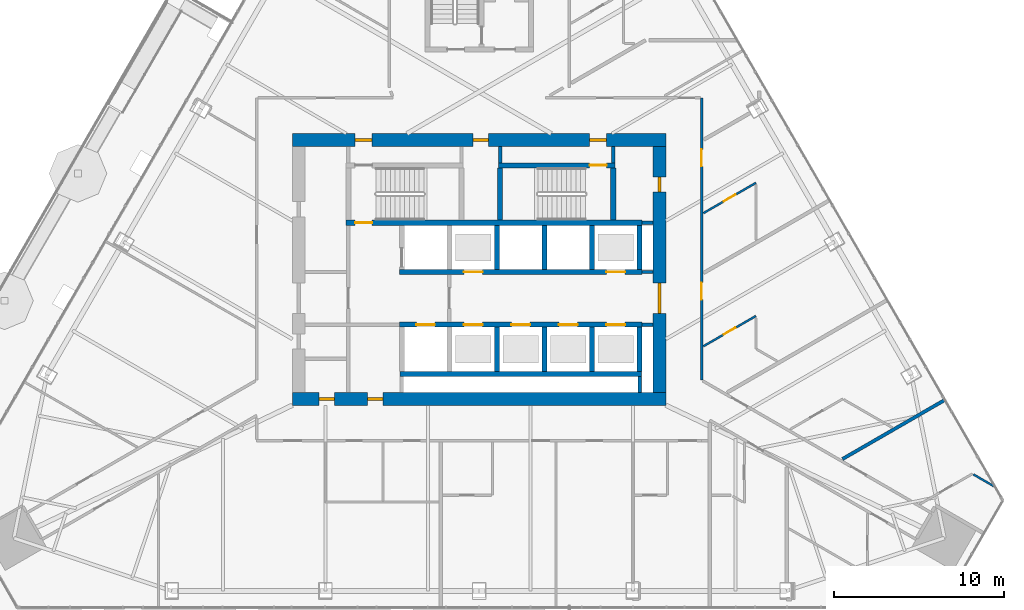
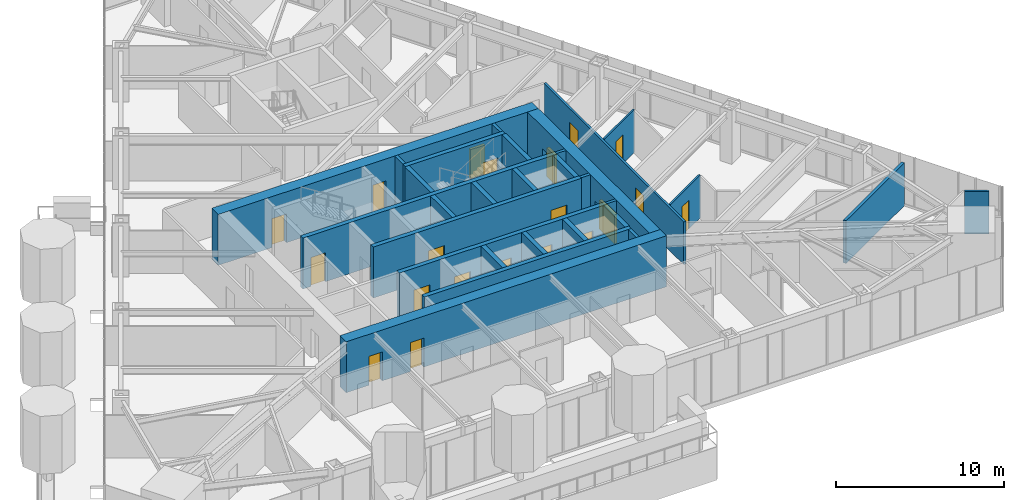
# One storey, part 27 of 32: 29 walls, 20 doors, 20 openings.
"""IFC4 building model written with IfcOpenShell, lengths in metres."""

from ifc_helpers import new_model, si_unit, direction, frame, frame_2d, origin, place, context, subcontext, project, spatial, rectangle, extrude, material, layer, layer_set, type_object, element, fill, save


model = new_model("IFC4")

# Units and contexts
model_context = context("Model", 3, precision=1e-05, world=origin(), true_north=direction((0.0, 1.0)))
body_context = subcontext(model_context, "Body", "Model", "MODEL_VIEW")
ifc_project = project(units=[si_unit("LENGTHUNIT", "METRE"), si_unit("AREAUNIT", "SQUARE_METRE"), si_unit("VOLUMEUNIT", "CUBIC_METRE"), si_unit("PLANEANGLEUNIT", "RADIAN"), si_unit("MASSUNIT", "GRAM", prefix="KILO")], contexts=[model_context])

# Site, building, storey
site_placement = place(None, origin())
site = spatial("IfcSite", under=ifc_project, at=site_placement, CompositionType="ELEMENT")
building_placement = place(site_placement, origin())
building = spatial("IfcBuilding", under=site, at=building_placement, Name="Firuza Gate Tower and Library", CompositionType="ELEMENT")
storey_placement = place(building_placement, frame((0.0, 0.0, 163.60009765625)))
storey = spatial("IfcBuildingStorey", under=building, at=storey_placement, Name="L37", CompositionType="ELEMENT", Elevation=163.60009765625)

# Walls
ifc_material_1 = material(Name="Plasterboard on steel studs", Category="steel")
ifc_layer_1 = layer(ifc_material_1, 0.199951171875)
ifc_layer_set_1 = layer_set([ifc_layer_1], Name="Core partition 200 EI 120")
wall_type_1 = type_object("IfcWallType", Name="Core partition 200 EI 120", PredefinedType="PARTITIONING", material=ifc_layer_set_1)
for number, where, z_axis, x_axis, name in (
    (1, (84.60009765625, 71.75, 0.0), (0.0, 0.0, 1.0), (1.0, 0.0, 0.0), "Core partition L37 3"),
    (2, (84.60009765625, 74.85009765625, 0.0), (0.0, 0.0, 1.0), (1.0, 0.0, 0.0), "Core partition L37 5"),
    (3, (84.60009765625, 77.75, 0.0), (0.0, 0.0, 1.0), (1.0, 0.0, 0.0), "Core partition L37 6"),
):
    element("IfcWall", number, at=place(storey_placement, frame(where, z_axis=z_axis, x_axis=x_axis)), inside=storey, type_object=wall_type_1, Name=name, PredefinedType="PARTITIONING", context=body_context, shape_type="SweptSolid", body=[
        extrude(rectangle(XDim=0.64990234375, YDim=0.199951171875, at=frame_2d((0.324951171875, 0.0))), origin(), (0.0, 0.0, 1.0), 3.699951171875),
    ])
wall_1_placement = place(storey_placement, frame((84.449951171875, 67.75, 0.0), z_axis=(0.0, 0.0, 1.0), x_axis=(0.0, 1.0, 0.0)))
element("IfcWall", 4, at=wall_1_placement, inside=storey, type_object=wall_type_1, Name="Core partition L37 15", PredefinedType="PARTITIONING", context=body_context, shape_type="SweptSolid", body=[
    extrude(rectangle(XDim=0.949951171875, YDim=0.199951171875, at=frame_2d((0.47509765625, 0.0))), origin(), (0.0, 0.0, 1.0), 3.699951171875),
])
ifc_material_2 = material(Name="Plasterboard on steel studs", Category="steel")
ifc_layer_2 = layer(ifc_material_2, 0.199951171875)
ifc_layer_set_2 = layer_set([ifc_layer_2], Name="Core partition 200 EI 60")
wall_type_2 = type_object("IfcWallType", Name="Core partition 200 EI 60", PredefinedType="PARTITIONING", material=ifc_layer_set_2)
for number, where, z_axis, x_axis, name in (
    (5, (76.239990234375, 81.280029296875, 0.0), (0.0, 0.0, 1.0), (0.0, 1.0, 0.0), "Core partition L37 13"),
    (6, (82.89990234375, 81.280029296875, 0.0), (0.0, 0.0, 1.0), (0.0, 1.0, 0.0), "Core partition L37 14"),
):
    element("IfcWall", number, at=place(storey_placement, frame(where, z_axis=z_axis, x_axis=x_axis)), inside=storey, type_object=wall_type_2, Name=name, PredefinedType="PARTITIONING", context=body_context, shape_type="SweptSolid", body=[
        extrude(rectangle(XDim=0.969970703125, YDim=0.199951171875, at=frame_2d((0.48486328125, 0.0))), origin(), (0.0, 0.0, 1.0), 3.699951171875),
    ])
ifc_material_3 = material(Name="Concrete C80/95", Category="concrete")
ifc_layer_3 = layer(ifc_material_3, 0.300048828125)
ifc_layer_set_3 = layer_set([ifc_layer_3], Name="Core wall 300 C80/95")
wall_type_3 = type_object("IfcWallType", Name="Core wall 300 C80/95", PredefinedType="SHEAR", material=ifc_layer_set_3)
wall_2_placement = place(storey_placement, frame((70.35009765625, 68.85009765625, 0.0), z_axis=(0.0, 0.0, 1.0), x_axis=(1.0, 0.0, 0.0)))
element("IfcWall", 7, at=wall_2_placement, inside=storey, type_object=wall_type_3, Name="Core wall L37 5", PredefinedType="SHEAR", context=body_context, shape_type="SweptSolid", body=[
    extrude(rectangle(XDim=14.199951171875, YDim=0.300048828125, at=frame_2d((7.10009765625, 0.0))), origin(), (0.0, 0.0, 1.0), 3.699951171875),
])

# Wall, openings, doors
wall_3_placement = place(storey_placement, frame((70.300048828125, 71.75, 0.0), z_axis=(0.0, 0.0, 1.0), x_axis=(1.0, 0.0, 0.0)))
wall_3 = element("IfcWall", 8, at=wall_3_placement, inside=storey, type_object=wall_type_3, Name="Core wall L37 6", PredefinedType="SHEAR", context=body_context, shape_type="SweptSolid", body=[
    extrude(rectangle(XDim=14.300048828125, YDim=0.300048828125, at=frame_2d((7.14990234375, 0.0))), origin(), (0.0, 0.0, 1.0), 3.699951171875),
])
opening_1_placement = place(wall_3_placement, frame((1.0, 0.0, 0.0)))
opening_1 = element("IfcOpeningElement", 9, at=opening_1_placement, cuts=wall_3, Name="Opening LD-FF1-L37", PredefinedType="OPENING", context=body_context, shape_type="SweptSolid", body=[
    extrude(rectangle(XDim=1.10009765625, YDim=2.10009765625, at=frame_2d((0.550048828125, 1.050048828125))), frame((0.0, 0.16015625, 0.0), z_axis=(0.0, -1.0, 0.0), x_axis=(1.0, 0.0, 0.0)), (0.0, 0.0, 1.0), 0.320068359375),
])
opening_2_placement = place(wall_3_placement, frame((3.800048828125, 0.0, 0.0)))
opening_2 = element("IfcOpeningElement", 10, at=opening_2_placement, cuts=wall_3, Name="Opening LD-MR1-L37", PredefinedType="OPENING", context=body_context, shape_type="SweptSolid", body=[
    extrude(rectangle(XDim=1.10009765625, YDim=2.10009765625, at=frame_2d((0.550048828125, 1.050048828125))), frame((0.0, 0.16015625, 0.0), z_axis=(0.0, -1.0, 0.0), x_axis=(1.0, 0.0, 0.0)), (0.0, 0.0, 1.0), 0.320068359375),
])
opening_3_placement = place(wall_3_placement, frame((6.60009765625, 0.0, 0.0)))
opening_3 = element("IfcOpeningElement", 11, at=opening_3_placement, cuts=wall_3, Name="Opening LD-MR2-L37", PredefinedType="OPENING", context=body_context, shape_type="SweptSolid", body=[
    extrude(rectangle(XDim=1.10009765625, YDim=2.10009765625, at=frame_2d((0.550048828125, 1.050048828125))), frame((0.0, 0.16015625, 0.0), z_axis=(0.0, -1.0, 0.0), x_axis=(1.0, 0.0, 0.0)), (0.0, 0.0, 1.0), 0.320068359375),
])
opening_4_placement = place(wall_3_placement, frame((9.39990234375, 0.0, 0.0)))
opening_4 = element("IfcOpeningElement", 12, at=opening_4_placement, cuts=wall_3, Name="Opening LD-MR3-L37", PredefinedType="OPENING", context=body_context, shape_type="SweptSolid", body=[
    extrude(rectangle(XDim=1.10009765625, YDim=2.10009765625, at=frame_2d((0.550048828125, 1.050048828125))), frame((0.0, 0.16015625, 0.0), z_axis=(0.0, -1.0, 0.0), x_axis=(1.0, 0.0, 0.0)), (0.0, 0.0, 1.0), 0.320068359375),
])
opening_5_placement = place(wall_3_placement, frame((12.199951171875, 0.0, 0.0)))
opening_5 = element("IfcOpeningElement", 13, at=opening_5_placement, cuts=wall_3, Name="Opening LD-MR5-L37", PredefinedType="OPENING", context=body_context, shape_type="SweptSolid", body=[
    extrude(rectangle(XDim=1.10009765625, YDim=2.10009765625, at=frame_2d((0.550048828125, 1.050048828125))), frame((0.0, 0.16015625, 0.0), z_axis=(0.0, -1.0, 0.0), x_axis=(1.0, 0.0, 0.0)), (0.0, 0.0, 1.0), 0.320068359375),
])
ifc_material_4 = material(Name="Stainless steel", Category="steel")
door_type_1 = type_object("IfcDoorType", Name="Lift landing door 1100x2100", OperationType="DOUBLE_DOOR_SLIDING", PredefinedType="DOOR", material=ifc_material_4)
door_1_placement = place(opening_1_placement, origin())
door_1 = element("IfcDoor", 14, at=door_1_placement, inside=storey, type_object=door_type_1, Name="Landing door FF1 L37", OperationType="DOUBLE_DOOR_SLIDING", OverallHeight=2.10009765625, OverallWidth=1.10009765625, PredefinedType="DOOR", context=body_context, shape_type="SweptSolid", body=[
    extrude(rectangle(XDim=1.10009765625, YDim=2.10009765625, at=frame_2d((0.550048828125, 1.050048828125))), frame((0.0, 0.02490234375, 0.0), z_axis=(0.0, -1.0, 0.0), x_axis=(1.0, 0.0, 0.0)), (0.0, 0.0, 1.0), 0.050048828125),
])
fill(opening_1, door_1)
door_2_placement = place(opening_2_placement, origin())
door_2 = element("IfcDoor", 15, at=door_2_placement, inside=storey, type_object=door_type_1, Name="Landing door MR1 L37", OperationType="DOUBLE_DOOR_SLIDING", OverallHeight=2.10009765625, OverallWidth=1.10009765625, PredefinedType="DOOR", context=body_context, shape_type="SweptSolid", body=[
    extrude(rectangle(XDim=1.10009765625, YDim=2.10009765625, at=frame_2d((0.550048828125, 1.050048828125))), frame((0.0, 0.02490234375, 0.0), z_axis=(0.0, -1.0, 0.0), x_axis=(1.0, 0.0, 0.0)), (0.0, 0.0, 1.0), 0.050048828125),
])
fill(opening_2, door_2)
door_3_placement = place(opening_3_placement, origin())
door_3 = element("IfcDoor", 16, at=door_3_placement, inside=storey, type_object=door_type_1, Name="Landing door MR2 L37", OperationType="DOUBLE_DOOR_SLIDING", OverallHeight=2.10009765625, OverallWidth=1.10009765625, PredefinedType="DOOR", context=body_context, shape_type="SweptSolid", body=[
    extrude(rectangle(XDim=1.10009765625, YDim=2.10009765625, at=frame_2d((0.550048828125, 1.050048828125))), frame((0.0, 0.02490234375, 0.0), z_axis=(0.0, -1.0, 0.0), x_axis=(1.0, 0.0, 0.0)), (0.0, 0.0, 1.0), 0.050048828125),
])
fill(opening_3, door_3)
door_4_placement = place(opening_4_placement, origin())
door_4 = element("IfcDoor", 17, at=door_4_placement, inside=storey, type_object=door_type_1, Name="Landing door MR3 L37", OperationType="DOUBLE_DOOR_SLIDING", OverallHeight=2.10009765625, OverallWidth=1.10009765625, PredefinedType="DOOR", context=body_context, shape_type="SweptSolid", body=[
    extrude(rectangle(XDim=1.10009765625, YDim=2.10009765625, at=frame_2d((0.550048828125, 1.050048828125))), frame((0.0, 0.02490234375, 0.0), z_axis=(0.0, -1.0, 0.0), x_axis=(1.0, 0.0, 0.0)), (0.0, 0.0, 1.0), 0.050048828125),
])
fill(opening_4, door_4)
door_5_placement = place(opening_5_placement, origin())
door_5 = element("IfcDoor", 18, at=door_5_placement, inside=storey, type_object=door_type_1, Name="Landing door MR5 L37", OperationType="DOUBLE_DOOR_SLIDING", OverallHeight=2.10009765625, OverallWidth=1.10009765625, PredefinedType="DOOR", context=body_context, shape_type="SweptSolid", body=[
    extrude(rectangle(XDim=1.10009765625, YDim=2.10009765625, at=frame_2d((0.550048828125, 1.050048828125))), frame((0.0, 0.02490234375, 0.0), z_axis=(0.0, -1.0, 0.0), x_axis=(1.0, 0.0, 0.0)), (0.0, 0.0, 1.0), 0.050048828125),
])
fill(opening_5, door_5)

wall_4_placement = place(storey_placement, frame((70.300048828125, 74.85009765625, 0.0), z_axis=(0.0, 0.0, 1.0), x_axis=(1.0, 0.0, 0.0)))
wall_4 = element("IfcWall", 19, at=wall_4_placement, inside=storey, type_object=wall_type_3, Name="Core wall L37 7", PredefinedType="SHEAR", context=body_context, shape_type="SweptSolid", body=[
    extrude(rectangle(XDim=14.300048828125, YDim=0.300048828125, at=frame_2d((7.14990234375, 0.0))), origin(), (0.0, 0.0, 1.0), 3.699951171875),
])
opening_6_placement = place(wall_4_placement, frame((3.800048828125, 0.0, 0.0)))
opening_6 = element("IfcOpeningElement", 20, at=opening_6_placement, cuts=wall_4, Name="Opening LD-MR4-L37", PredefinedType="OPENING", context=body_context, shape_type="SweptSolid", body=[
    extrude(rectangle(XDim=1.10009765625, YDim=2.10009765625, at=frame_2d((0.550048828125, 1.050048828125))), frame((0.0, 0.16015625, 0.0), z_axis=(0.0, -1.0, 0.0), x_axis=(1.0, 0.0, 0.0)), (0.0, 0.0, 1.0), 0.320068359375),
])
opening_7_placement = place(wall_4_placement, frame((12.199951171875, 0.0, 0.0)))
opening_7 = element("IfcOpeningElement", 21, at=opening_7_placement, cuts=wall_4, Name="Opening LD-MR6-L37", PredefinedType="OPENING", context=body_context, shape_type="SweptSolid", body=[
    extrude(rectangle(XDim=1.10009765625, YDim=2.10009765625, at=frame_2d((0.550048828125, 1.050048828125))), frame((0.0, 0.16015625, 0.0), z_axis=(0.0, -1.0, 0.0), x_axis=(1.0, 0.0, 0.0)), (0.0, 0.0, 1.0), 0.320068359375),
])
door_6_placement = place(opening_6_placement, origin())
door_6 = element("IfcDoor", 22, at=door_6_placement, inside=storey, type_object=door_type_1, Name="Landing door MR4 L37", OperationType="DOUBLE_DOOR_SLIDING", OverallHeight=2.10009765625, OverallWidth=1.10009765625, PredefinedType="DOOR", context=body_context, shape_type="SweptSolid", body=[
    extrude(rectangle(XDim=1.10009765625, YDim=2.10009765625, at=frame_2d((0.550048828125, 1.050048828125))), frame((0.0, 0.02490234375, 0.0), z_axis=(0.0, -1.0, 0.0), x_axis=(1.0, 0.0, 0.0)), (0.0, 0.0, 1.0), 0.050048828125),
])
fill(opening_6, door_6)
door_7_placement = place(opening_7_placement, origin())
door_7 = element("IfcDoor", 23, at=door_7_placement, inside=storey, type_object=door_type_1, Name="Landing door MR6 L37", OperationType="DOUBLE_DOOR_SLIDING", OverallHeight=2.10009765625, OverallWidth=1.10009765625, PredefinedType="DOOR", context=body_context, shape_type="SweptSolid", body=[
    extrude(rectangle(XDim=1.10009765625, YDim=2.10009765625, at=frame_2d((0.550048828125, 1.050048828125))), frame((0.0, 0.02490234375, 0.0), z_axis=(0.0, -1.0, 0.0), x_axis=(1.0, 0.0, 0.0)), (0.0, 0.0, 1.0), 0.050048828125),
])
fill(opening_7, door_7)

# Walls
for number, where, z_axis, x_axis, name in (
    (24, (76.050048828125, 69.0, 0.0), (0.0, 0.0, 1.0), (0.0, 1.0, 0.0), "Core wall L37 12"),
    (25, (76.050048828125, 75.0, 0.0), (0.0, 0.0, 1.0), (0.0, 1.0, 0.0), "Core wall L37 13"),
    (26, (78.85009765625, 69.0, 0.0), (0.0, 0.0, 1.0), (0.0, 1.0, 0.0), "Core wall L37 14"),
    (27, (78.85009765625, 75.0, 0.0), (0.0, 0.0, 1.0), (0.0, 1.0, 0.0), "Core wall L37 15"),
    (28, (81.64990234375, 69.0, 0.0), (0.0, 0.0, 1.0), (0.0, 1.0, 0.0), "Core wall L37 16"),
    (29, (81.64990234375, 75.0, 0.0), (0.0, 0.0, 1.0), (0.0, 1.0, 0.0), "Core wall L37 17"),
    (30, (84.449951171875, 69.0, 0.0), (0.0, 0.0, 1.0), (0.0, 1.0, 0.0), "Core wall L37 18"),
    (31, (84.449951171875, 75.0, 0.0), (0.0, 0.0, 1.0), (0.0, 1.0, 0.0), "Core wall L37 19"),
):
    element("IfcWall", number, at=place(storey_placement, frame(where, z_axis=z_axis, x_axis=x_axis)), inside=storey, type_object=wall_type_3, Name=name, PredefinedType="SHEAR", context=body_context, shape_type="SweptSolid", body=[
        extrude(rectangle(XDim=2.60009765625, YDim=0.300048828125, at=frame_2d((1.300048828125, 0.0))), origin(), (0.0, 0.0, 1.0), 3.699951171875),
    ])

# Wall, opening, door
wall_5_placement = place(storey_placement, frame((67.14990234375, 77.75, 0.0), z_axis=(0.0, 0.0, 1.0), x_axis=(1.0, 0.0, 0.0)))
wall_5 = element("IfcWall", 32, at=wall_5_placement, inside=storey, type_object=wall_type_3, Name="Core wall L37 20", PredefinedType="SHEAR", context=body_context, shape_type="SweptSolid", body=[
    extrude(rectangle(XDim=17.4501953125, YDim=0.300048828125, at=frame_2d((8.72509765625, 0.0))), origin(), (0.0, 0.0, 1.0), 3.699951171875),
])
opening_8_placement = place(wall_5_placement, frame((0.544921875, 0.0, 0.0)))
opening_8 = element("IfcOpeningElement", 33, at=opening_8_placement, cuts=wall_5, Name="Opening L37-K10", PredefinedType="OPENING", context=body_context, shape_type="SweptSolid", body=[
    extrude(rectangle(XDim=1.0, YDim=2.10009765625, at=frame_2d((0.5, 1.050048828125))), frame((0.0, 0.16015625, 0.0), z_axis=(0.0, -1.0, 0.0), x_axis=(1.0, 0.0, 0.0)), (0.0, 0.0, 1.0), 0.320068359375),
])
ifc_material_5 = material(Name="Steel", Category="steel")
door_type_2 = type_object("IfcDoorType", Name="Fire door 1000x2100 FD90", OperationType="NOTDEFINED", PredefinedType="DOOR", material=ifc_material_5)
door_8_placement = place(opening_8_placement, origin())
door_8 = element("IfcDoor", 34, at=door_8_placement, inside=storey, type_object=door_type_2, Name="Door L37-K10", OperationType="SINGLE_SWING_LEFT", OverallHeight=2.10009765625, OverallWidth=1.0, PredefinedType="DOOR", context=body_context, shape_type="SweptSolid", body=[
    extrude(rectangle(XDim=1.0, YDim=2.10009765625, at=frame_2d((0.5, 1.050048828125))), frame((0.0, 0.02490234375, 0.0), z_axis=(0.0, -1.0, 0.0), x_axis=(1.0, 0.0, 0.0)), (0.0, 0.0, 1.0), 0.050048828125),
])
fill(opening_8, door_8)

wall_6_placement = place(storey_placement, frame((76.139892578125, 81.1298828125, 0.0), z_axis=(0.0, 0.0, 1.0), x_axis=(1.0, 0.0, 0.0)))
wall_6 = element("IfcWall", 35, at=wall_6_placement, inside=storey, type_object=wall_type_3, Name="Core wall L37 22", PredefinedType="SHEAR", context=body_context, shape_type="SweptSolid", body=[
    extrude(rectangle(XDim=6.860107421875, YDim=0.300048828125, at=frame_2d((3.43017578125, 0.0))), origin(), (0.0, 0.0, 1.0), 3.699951171875),
])
opening_9_placement = place(wall_6_placement, frame((5.364990234375, 0.0, 0.0)))
opening_9 = element("IfcOpeningElement", 36, at=opening_9_placement, cuts=wall_6, Name="Opening L37-K13", PredefinedType="OPENING", context=body_context, shape_type="SweptSolid", body=[
    extrude(rectangle(XDim=1.0, YDim=2.10009765625, at=frame_2d((0.5, 1.050048828125))), frame((0.0, 0.16015625, 0.0), z_axis=(0.0, -1.0, 0.0), x_axis=(1.0, 0.0, 0.0)), (0.0, 0.0, 1.0), 0.320068359375),
])
door_9_placement = place(opening_9_placement, origin())
door_9 = element("IfcDoor", 37, at=door_9_placement, inside=storey, type_object=door_type_2, Name="Door L37-K13", OperationType="SINGLE_SWING_RIGHT", OverallHeight=2.10009765625, OverallWidth=1.0, PredefinedType="DOOR", context=body_context, shape_type="SweptSolid", body=[
    extrude(rectangle(XDim=1.0, YDim=2.10009765625, at=frame_2d((0.5, 1.050048828125))), frame((0.0, 0.02490234375, 0.0), z_axis=(0.0, -1.0, 0.0), x_axis=(1.0, 0.0, 0.0)), (0.0, 0.0, 1.0), 0.050048828125),
])
fill(opening_9, door_9)

# Walls
for number, where, z_axis, x_axis, name in (
    (38, (76.239990234375, 77.89990234375, 0.0), (0.0, 0.0, 1.0), (0.0, 1.0, 0.0), "Core wall L37 25"),
    (39, (82.89990234375, 77.89990234375, 0.0), (0.0, 0.0, 1.0), (0.0, 1.0, 0.0), "Core wall L37 26"),
):
    element("IfcWall", number, at=place(storey_placement, frame(where, z_axis=z_axis, x_axis=x_axis)), inside=storey, type_object=wall_type_3, Name=name, PredefinedType="SHEAR", context=body_context, shape_type="SweptSolid", body=[
        extrude(rectangle(XDim=3.080078125, YDim=0.300048828125, at=frame_2d((1.5400390625, 0.0))), origin(), (0.0, 0.0, 1.0), 3.699951171875),
    ])

# Wall, openings, doors
ifc_material_6 = material(Name="Concrete C80/95", Category="concrete")
ifc_layer_4 = layer(ifc_material_6, 0.75)
ifc_layer_set_4 = layer_set([ifc_layer_4], Name="Core wall 750 C80/95")
wall_type_4 = type_object("IfcWallType", Name="Core wall 750 C80/95", PredefinedType="SHEAR", material=ifc_layer_set_4)
wall_7_placement = place(storey_placement, frame((64.0, 67.375, 0.0), z_axis=(0.0, 0.0, 1.0), x_axis=(1.0, 0.0, 0.0)))
wall_7 = element("IfcWall", 40, at=wall_7_placement, inside=storey, type_object=wall_type_4, Name="Core wall L37 1", PredefinedType="SHEAR", context=body_context, shape_type="SweptSolid", body=[
    extrude(rectangle(XDim=22.0, YDim=0.75, at=frame_2d((11.0, 0.0))), origin(), (0.0, 0.0, 1.0), 3.699951171875),
])
opening_10_placement = place(wall_7_placement, frame((1.574951171875, 0.0, 0.0)))
opening_10 = element("IfcOpeningElement", 41, at=opening_10_placement, cuts=wall_7, Name="Opening L37-K22", PredefinedType="OPENING", context=body_context, shape_type="SweptSolid", body=[
    extrude(rectangle(XDim=0.89990234375, YDim=2.10009765625, at=frame_2d((0.449951171875, 1.050048828125))), frame((0.0, 0.385009765625, 0.0), z_axis=(0.0, -1.0, 0.0), x_axis=(1.0, 0.0, 0.0)), (0.0, 0.0, 1.0), 0.77001953125),
])
opening_11_placement = place(wall_7_placement, frame((4.425048828125, 0.0, 0.0)))
opening_11 = element("IfcOpeningElement", 42, at=opening_11_placement, cuts=wall_7, Name="Opening L37-K24", PredefinedType="OPENING", context=body_context, shape_type="SweptSolid", body=[
    extrude(rectangle(XDim=0.89990234375, YDim=2.10009765625, at=frame_2d((0.449951171875, 1.050048828125))), frame((0.0, 0.385009765625, 0.0), z_axis=(0.0, -1.0, 0.0), x_axis=(1.0, 0.0, 0.0)), (0.0, 0.0, 1.0), 0.77001953125),
])
ifc_material_7 = material(Name="Steel", Category="steel")
door_type_3 = type_object("IfcDoorType", Name="Fire door 900x2100 FD30S", OperationType="NOTDEFINED", PredefinedType="DOOR", material=ifc_material_7)
door_10_placement = place(opening_10_placement, origin())
door_10 = element("IfcDoor", 43, at=door_10_placement, inside=storey, type_object=door_type_3, Name="Door L37-K22", OperationType="SINGLE_SWING_LEFT", OverallHeight=2.10009765625, OverallWidth=0.89990234375, PredefinedType="DOOR", context=body_context, shape_type="SweptSolid", body=[
    extrude(rectangle(XDim=0.89990234375, YDim=2.10009765625, at=frame_2d((0.449951171875, 1.050048828125))), frame((0.0, 0.094970703125, 0.0), z_axis=(0.0, -1.0, 0.0), x_axis=(1.0, 0.0, 0.0)), (0.0, 0.0, 1.0), 0.18994140625),
])
fill(opening_10, door_10)
door_11_placement = place(opening_11_placement, origin())
door_11 = element("IfcDoor", 44, at=door_11_placement, inside=storey, type_object=door_type_3, Name="Door L37-K24", OperationType="SINGLE_SWING_LEFT", OverallHeight=2.10009765625, OverallWidth=0.89990234375, PredefinedType="DOOR", context=body_context, shape_type="SweptSolid", body=[
    extrude(rectangle(XDim=0.89990234375, YDim=2.10009765625, at=frame_2d((0.449951171875, 1.050048828125))), frame((0.0, 0.094970703125, 0.0), z_axis=(0.0, -1.0, 0.0), x_axis=(1.0, 0.0, 0.0)), (0.0, 0.0, 1.0), 0.18994140625),
])
fill(opening_11, door_11)

wall_8_placement = place(storey_placement, frame((64.0, 82.625, 0.0), z_axis=(0.0, 0.0, 1.0), x_axis=(1.0, 0.0, 0.0)))
wall_8 = element("IfcWall", 45, at=wall_8_placement, inside=storey, type_object=wall_type_4, Name="Core wall L37 2", PredefinedType="SHEAR", context=body_context, shape_type="SweptSolid", body=[
    extrude(rectangle(XDim=22.0, YDim=0.75, at=frame_2d((11.0, 0.0))), origin(), (0.0, 0.0, 1.0), 3.699951171875),
])
opening_12_placement = place(wall_8_placement, frame((3.695068359375, 0.0, 0.0)))
opening_12 = element("IfcOpeningElement", 46, at=opening_12_placement, cuts=wall_8, Name="Opening L37-K12", PredefinedType="OPENING", context=body_context, shape_type="SweptSolid", body=[
    extrude(rectangle(XDim=1.0, YDim=2.10009765625, at=frame_2d((0.5, 1.050048828125))), frame((0.0, 0.385009765625, 0.0), z_axis=(0.0, -1.0, 0.0), x_axis=(1.0, 0.0, 0.0)), (0.0, 0.0, 1.0), 0.77001953125),
])
opening_13_placement = place(wall_8_placement, frame((17.5048828125, 0.0, 0.0)))
opening_13 = element("IfcOpeningElement", 47, at=opening_13_placement, cuts=wall_8, Name="Opening L37-K14", PredefinedType="OPENING", context=body_context, shape_type="SweptSolid", body=[
    extrude(rectangle(XDim=1.0, YDim=2.10009765625, at=frame_2d((0.5, 1.050048828125))), frame((0.0, 0.385009765625, 0.0), z_axis=(0.0, -1.0, 0.0), x_axis=(1.0, 0.0, 0.0)), (0.0, 0.0, 1.0), 0.77001953125),
])
opening_14_placement = place(wall_8_placement, frame((10.64990234375, 0.0, 0.0)))
opening_14 = element("IfcOpeningElement", 48, at=opening_14_placement, cuts=wall_8, Name="Opening L37-K26", PredefinedType="OPENING", context=body_context, shape_type="SweptSolid", body=[
    extrude(rectangle(XDim=0.89990234375, YDim=2.10009765625, at=frame_2d((0.449951171875, 1.050048828125))), frame((0.0, 0.385009765625, 0.0), z_axis=(0.0, -1.0, 0.0), x_axis=(1.0, 0.0, 0.0)), (0.0, 0.0, 1.0), 0.77001953125),
])
door_12_placement = place(opening_12_placement, origin())
door_12 = element("IfcDoor", 49, at=door_12_placement, inside=storey, type_object=door_type_2, Name="Door L37-K12", OperationType="SINGLE_SWING_LEFT", OverallHeight=2.10009765625, OverallWidth=1.0, PredefinedType="DOOR", context=body_context, shape_type="SweptSolid", body=[
    extrude(rectangle(XDim=1.0, YDim=2.10009765625, at=frame_2d((0.5, 1.050048828125))), frame((0.0, 0.094970703125, 0.0), z_axis=(0.0, -1.0, 0.0), x_axis=(1.0, 0.0, 0.0)), (0.0, 0.0, 1.0), 0.18994140625),
])
fill(opening_12, door_12)
door_13_placement = place(opening_13_placement, origin())
door_13 = element("IfcDoor", 50, at=door_13_placement, inside=storey, type_object=door_type_2, Name="Door L37-K14", OperationType="SINGLE_SWING_LEFT", OverallHeight=2.10009765625, OverallWidth=1.0, PredefinedType="DOOR", context=body_context, shape_type="SweptSolid", body=[
    extrude(rectangle(XDim=1.0, YDim=2.10009765625, at=frame_2d((0.5, 1.050048828125))), frame((0.0, 0.094970703125, 0.0), z_axis=(0.0, -1.0, 0.0), x_axis=(1.0, 0.0, 0.0)), (0.0, 0.0, 1.0), 0.18994140625),
])
fill(opening_13, door_13)
door_14_placement = place(opening_14_placement, origin())
door_14 = element("IfcDoor", 51, at=door_14_placement, inside=storey, type_object=door_type_3, Name="Door L37-K26", OperationType="SINGLE_SWING_LEFT", OverallHeight=2.10009765625, OverallWidth=0.89990234375, PredefinedType="DOOR", context=body_context, shape_type="SweptSolid", body=[
    extrude(rectangle(XDim=0.89990234375, YDim=2.10009765625, at=frame_2d((0.449951171875, 1.050048828125))), frame((0.0, 0.094970703125, 0.0), z_axis=(0.0, -1.0, 0.0), x_axis=(1.0, 0.0, 0.0)), (0.0, 0.0, 1.0), 0.18994140625),
])
fill(opening_14, door_14)

wall_9_placement = place(storey_placement, frame((85.625, 67.75, 0.0), z_axis=(0.0, 0.0, 1.0), x_axis=(0.0, 1.0, 0.0)))
wall_9 = element("IfcWall", 52, at=wall_9_placement, inside=storey, type_object=wall_type_4, Name="Core wall L37 4", PredefinedType="SHEAR", context=body_context, shape_type="SweptSolid", body=[
    extrude(rectangle(XDim=14.5, YDim=0.75, at=frame_2d((7.25, 0.0))), origin(), (0.0, 0.0, 1.0), 3.699951171875),
])
opening_15_placement = place(wall_9_placement, frame((4.64990234375, 0.0, 0.0)))
opening_15 = element("IfcOpeningElement", 53, at=opening_15_placement, cuts=wall_9, Name="Opening L37-K21", PredefinedType="OPENING", context=body_context, shape_type="SweptSolid", body=[
    extrude(rectangle(XDim=1.800048828125, YDim=2.10009765625, at=frame_2d((0.89990234375, 1.050048828125))), frame((0.0, 0.385009765625, 0.0), z_axis=(0.0, -1.0, 0.0), x_axis=(1.0, 0.0, 0.0)), (0.0, 0.0, 1.0), 0.77001953125),
])
opening_16_placement = place(wall_9_placement, frame((11.800048828125, 0.0, 0.0)))
opening_16 = element("IfcOpeningElement", 54, at=opening_16_placement, cuts=wall_9, Name="Opening L37-K27", PredefinedType="OPENING", context=body_context, shape_type="SweptSolid", body=[
    extrude(rectangle(XDim=0.89990234375, YDim=2.10009765625, at=frame_2d((0.449951171875, 1.050048828125))), frame((0.0, 0.385009765625, 0.0), z_axis=(0.0, -1.0, 0.0), x_axis=(1.0, 0.0, 0.0)), (0.0, 0.0, 1.0), 0.77001953125),
])
ifc_material_8 = material(Name="Steel", Category="steel")
door_type_4 = type_object("IfcDoorType", Name="Fire door 1800x2100 FD30S", OperationType="NOTDEFINED", PredefinedType="DOOR", material=ifc_material_8)
door_15_placement = place(opening_15_placement, origin())
door_15 = element("IfcDoor", 55, at=door_15_placement, inside=storey, type_object=door_type_4, Name="Door L37-K21", OperationType="SINGLE_SWING_RIGHT", OverallHeight=2.10009765625, OverallWidth=1.800048828125, PredefinedType="DOOR", context=body_context, shape_type="SweptSolid", body=[
    extrude(rectangle(XDim=1.800048828125, YDim=2.10009765625, at=frame_2d((0.89990234375, 1.050048828125))), frame((0.0, 0.094970703125, 0.0), z_axis=(0.0, -1.0, 0.0), x_axis=(1.0, 0.0, 0.0)), (0.0, 0.0, 1.0), 0.18994140625),
])
fill(opening_15, door_15)
door_16_placement = place(opening_16_placement, origin())
door_16 = element("IfcDoor", 56, at=door_16_placement, inside=storey, type_object=door_type_3, Name="Door L37-K27", OperationType="SINGLE_SWING_RIGHT", OverallHeight=2.10009765625, OverallWidth=0.89990234375, PredefinedType="DOOR", context=body_context, shape_type="SweptSolid", body=[
    extrude(rectangle(XDim=0.89990234375, YDim=2.10009765625, at=frame_2d((0.449951171875, 1.050048828125))), frame((0.0, 0.094970703125, 0.0), z_axis=(0.0, -1.0, 0.0), x_axis=(1.0, 0.0, 0.0)), (0.0, 0.0, 1.0), 0.18994140625),
])
fill(opening_16, door_16)

ifc_material_9 = material(Name="Gypsum board partition")
ifc_layer_5 = layer(ifc_material_9, 0.14990234375)
ifc_layer_set_5 = layer_set([ifc_layer_5], Name="Corridor wall 150 double board on steel studs")
wall_type_5 = type_object("IfcWallType", Name="Corridor wall 150 double board on steel studs", PredefinedType="PARTITIONING", material=ifc_layer_set_5)
wall_10_placement = place(storey_placement, frame((88.10009765625, 85.10009765625, 0.0), z_axis=(0.0, 0.0, 1.0), x_axis=(0.0, -1.0, 0.0)))
wall_10 = element("IfcWall", 57, at=wall_10_placement, inside=storey, type_object=wall_type_5, Name="f:L37:w047", PredefinedType="PARTITIONING", context=body_context, shape_type="SweptSolid", body=[
    extrude(rectangle(XDim=16.624267578125, YDim=0.14990234375, at=frame_2d((8.31201171875, 0.0))), origin(), (0.0, 0.0, 1.0), 3.099853515625),
])
opening_17_placement = place(wall_10_placement, frame((3.031005859375, 0.0, 0.0)))
opening_17 = element("IfcOpeningElement", 58, at=opening_17_placement, cuts=wall_10, Name="Opening L37-25", PredefinedType="OPENING", context=body_context, shape_type="SweptSolid", body=[
    extrude(rectangle(XDim=1.0, YDim=2.10009765625, at=frame_2d((0.5, 1.050048828125))), frame((0.0, 0.0849609375, 0.0), z_axis=(0.0, -1.0, 0.0), x_axis=(1.0, 0.0, 0.0)), (0.0, 0.0, 1.0), 0.169921875),
])
opening_18_placement = place(wall_10_placement, frame((10.8720703125, 0.0, 0.0)))
opening_18 = element("IfcOpeningElement", 59, at=opening_18_placement, cuts=wall_10, Name="Opening L37-26", PredefinedType="OPENING", context=body_context, shape_type="SweptSolid", body=[
    extrude(rectangle(XDim=1.0, YDim=2.10009765625, at=frame_2d((0.5, 1.050048828125))), frame((0.0, 0.0849609375, 0.0), z_axis=(0.0, -1.0, 0.0), x_axis=(1.0, 0.0, 0.0)), (0.0, 0.0, 1.0), 0.169921875),
])
ifc_material_10 = material(Name="Steel door and timber leaf", Category="steel")
door_type_5 = type_object("IfcDoorType", Name="Fire door 1000 x 2100 steel frame, timber leaf", OperationType="NOTDEFINED", PredefinedType="DOOR", material=ifc_material_10)
door_17_placement = place(opening_17_placement, origin())
door_17 = element("IfcDoor", 60, at=door_17_placement, inside=storey, type_object=door_type_5, Name="f:L37:d025", OperationType="SINGLE_SWING_LEFT", OverallHeight=2.10009765625, OverallWidth=1.0, PredefinedType="DOOR", context=body_context, shape_type="SweptSolid", body=[
    extrude(rectangle(XDim=1.0, YDim=2.10009765625, at=frame_2d((0.5, 1.050048828125))), frame((0.0, 0.02490234375, 0.0), z_axis=(0.0, -1.0, 0.0), x_axis=(1.0, 0.0, 0.0)), (0.0, 0.0, 1.0), 0.050048828125),
])
fill(opening_17, door_17)
door_18_placement = place(opening_18_placement, origin())
door_18 = element("IfcDoor", 61, at=door_18_placement, inside=storey, type_object=door_type_5, Name="f:L37:d026", OperationType="SINGLE_SWING_LEFT", OverallHeight=2.10009765625, OverallWidth=1.0, PredefinedType="DOOR", context=body_context, shape_type="SweptSolid", body=[
    extrude(rectangle(XDim=1.0, YDim=2.10009765625, at=frame_2d((0.5, 1.050048828125))), frame((0.0, 0.02490234375, 0.0), z_axis=(0.0, -1.0, 0.0), x_axis=(1.0, 0.0, 0.0)), (0.0, 0.0, 1.0), 0.050048828125),
])
fill(opening_18, door_18)

# Wall
ifc_material_11 = material(Name="Gypsum board partition")
ifc_layer_6 = layer(ifc_material_11, 0.199951171875)
ifc_layer_set_6 = layer_set([ifc_layer_6], Name="Demising wall 200 acoustic double stud")
wall_type_6 = type_object("IfcWallType", Name="Demising wall 200 acoustic double stud", PredefinedType="PARTITIONING", material=ifc_layer_set_6)
wall_11_placement = place(storey_placement, frame((96.398681640625, 63.8310546875, 0.0), z_axis=(0.0, 0.0, 1.0), x_axis=(0.86602358327, 0.50000315321, 0.0)))
element("IfcWall", 62, at=wall_11_placement, inside=storey, type_object=wall_type_6, Name="f:L37:w018", PredefinedType="PARTITIONING", context=body_context, shape_type="SweptSolid", body=[
    extrude(rectangle(XDim=6.95166015625, YDim=0.199951171875, at=frame_2d((3.475830078125, 0.0))), origin(), (0.0, 0.0, 1.0), 3.099853515625),
])

# Wall, opening, door
ifc_material_12 = material(Name="Gypsum board partition")
ifc_layer_7 = layer(ifc_material_12, 0.1201171875)
ifc_layer_set_7 = layer_set([ifc_layer_7], Name="Wet-area partition 120 moisture-resistant board")
wall_type_7 = type_object("IfcWallType", Name="Wet-area partition 120 moisture-resistant board", PredefinedType="PARTITIONING", material=ifc_layer_set_7)
wall_12_placement = place(storey_placement, frame((91.2998046875, 72.257568359375, 0.0), z_axis=(0.0, 0.0, 1.0), x_axis=(-0.866028357664, -0.499994883695, 0.0)))
wall_12 = element("IfcWall", 63, at=wall_12_placement, inside=storey, type_object=wall_type_7, Name="f:L37:w021", PredefinedType="PARTITIONING", context=body_context, shape_type="SweptSolid", body=[
    extrude(rectangle(XDim=3.568359375, YDim=0.1201171875, at=frame_2d((1.7841796875, 0.0))), origin(), (0.0, 0.0, 1.0), 3.099853515625),
])
opening_19_placement = place(wall_12_placement, frame((1.38427734375, 0.0, 0.0)))
opening_19 = element("IfcOpeningElement", 64, at=opening_19_placement, cuts=wall_12, Name="Opening L37-16", PredefinedType="OPENING", context=body_context, shape_type="SweptSolid", body=[
    extrude(rectangle(XDim=0.800048828125, YDim=2.10009765625, at=frame_2d((0.39990234375, 1.050048828125))), frame((0.0, 0.070068359375, 0.0), z_axis=(0.0, -1.0, 0.0), x_axis=(1.0, 0.0, 0.0)), (0.0, 0.0, 1.0), 0.14013671875),
])
ifc_material_13 = material(Name="Timber door", Category="wood")
door_type_6 = type_object("IfcDoorType", Name="Door 800 x 2100 timber leaf", OperationType="NOTDEFINED", PredefinedType="DOOR", material=ifc_material_13)
door_19_placement = place(opening_19_placement, origin())
door_19 = element("IfcDoor", 65, at=door_19_placement, inside=storey, type_object=door_type_6, Name="f:L37:d016", OperationType="SINGLE_SWING_RIGHT", OverallHeight=2.10009765625, OverallWidth=0.800048828125, PredefinedType="DOOR", context=body_context, shape_type="SweptSolid", body=[
    extrude(rectangle(XDim=0.800048828125, YDim=2.10009765625, at=frame_2d((0.39990234375, 1.050048828125))), frame((0.0, 0.02490234375, 0.0), z_axis=(0.0, -1.0, 0.0), x_axis=(1.0, 0.0, 0.0)), (0.0, 0.0, 1.0), 0.050048828125),
])
fill(opening_19, door_19)

wall_13_placement = place(storey_placement, frame((91.300048828125, 80.09814453125, 0.0), z_axis=(0.0, 0.0, 1.0), x_axis=(-0.866028357664, -0.499994883695, 0.0)))
wall_13 = element("IfcWall", 66, at=wall_13_placement, inside=storey, type_object=wall_type_7, Name="f:L37:w023", PredefinedType="PARTITIONING", context=body_context, shape_type="SweptSolid", body=[
    extrude(rectangle(XDim=3.568359375, YDim=0.1201171875, at=frame_2d((1.7841796875, 0.0))), origin(), (0.0, 0.0, 1.0), 3.099853515625),
])
opening_20_placement = place(wall_13_placement, frame((1.38427734375, 0.0, 0.0)))
opening_20 = element("IfcOpeningElement", 67, at=opening_20_placement, cuts=wall_13, Name="Opening L37-17", PredefinedType="OPENING", context=body_context, shape_type="SweptSolid", body=[
    extrude(rectangle(XDim=0.800048828125, YDim=2.10009765625, at=frame_2d((0.39990234375, 1.050048828125))), frame((0.0, 0.070068359375, 0.0), z_axis=(0.0, -1.0, 0.0), x_axis=(1.0, 0.0, 0.0)), (0.0, 0.0, 1.0), 0.14013671875),
])
door_20_placement = place(opening_20_placement, origin())
door_20 = element("IfcDoor", 68, at=door_20_placement, inside=storey, type_object=door_type_6, Name="f:L37:d017", OperationType="SINGLE_SWING_RIGHT", OverallHeight=2.10009765625, OverallWidth=0.800048828125, PredefinedType="DOOR", context=body_context, shape_type="SweptSolid", body=[
    extrude(rectangle(XDim=0.800048828125, YDim=2.10009765625, at=frame_2d((0.39990234375, 1.050048828125))), frame((0.0, 0.02490234375, 0.0), z_axis=(0.0, -1.0, 0.0), x_axis=(1.0, 0.0, 0.0)), (0.0, 0.0, 1.0), 0.050048828125),
])
fill(opening_20, door_20)

# Wall
wall_14_placement = place(storey_placement, frame((105.36572265625, 62.20263671875, 0.0), z_axis=(0.0, 0.0, 1.0), x_axis=(-0.866011286779, 0.500024450573, 0.0)))
element("IfcWall", 69, at=wall_14_placement, inside=storey, type_object=wall_type_7, Name="f:L37:w070", PredefinedType="PARTITIONING", context=body_context, shape_type="SweptSolid", body=[
    extrude(rectangle(XDim=1.4462890625, YDim=0.1201171875, at=frame_2d((0.72314453125, 0.0))), origin(), (0.0, 0.0, 1.0), 3.099853515625),
])

save(model, "model.ifc")
